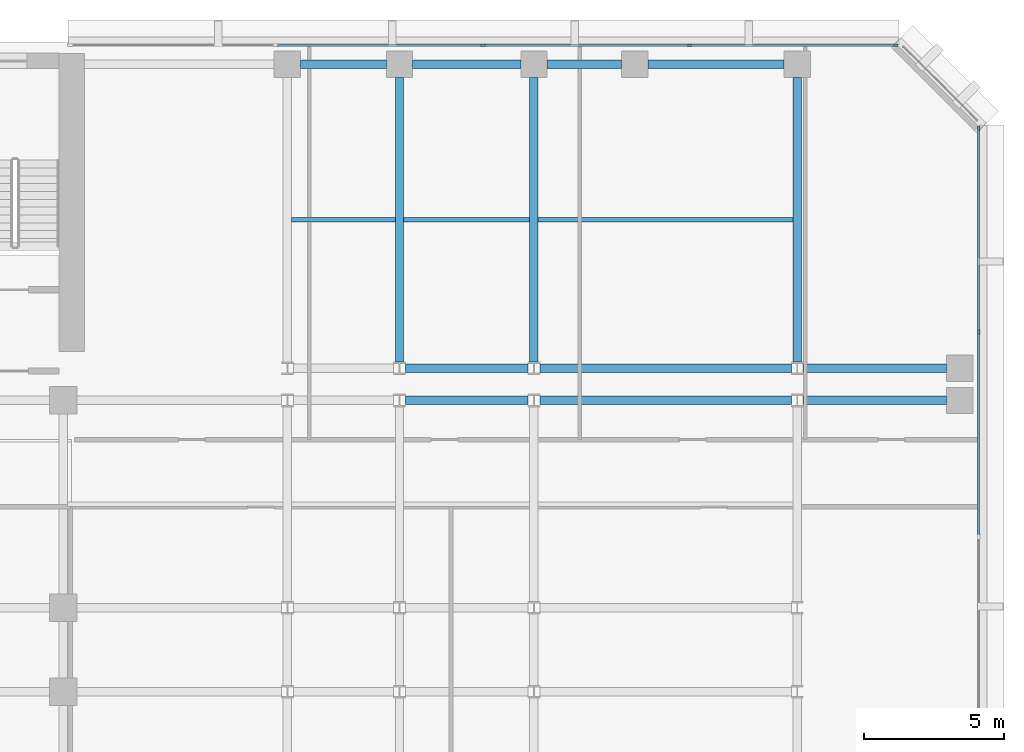
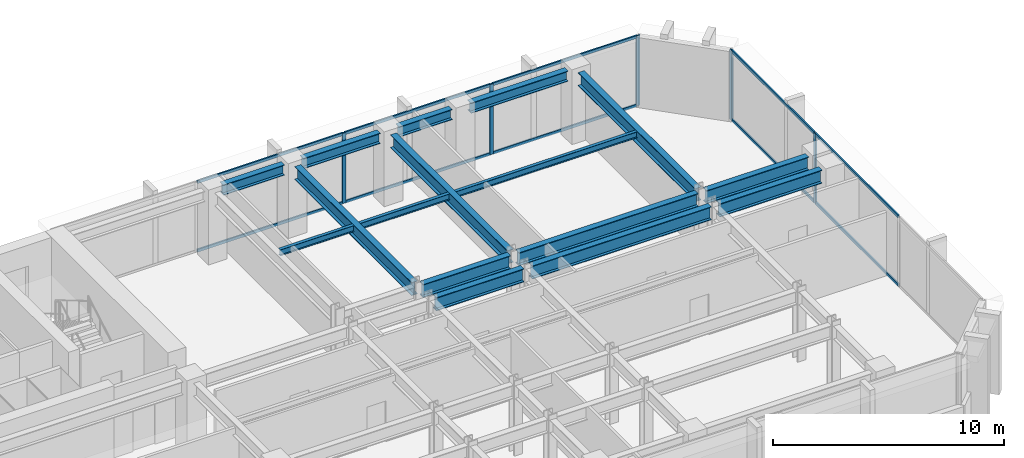
# One storey, part 5 of 13: 16 beams, 15 members, 2 elements without a shape of their own.
"""IFC4 building model written with IfcOpenShell, lengths in metres."""

import ifcopenshell
import ifcopenshell.guid

model = None  # the IFC model being written
_history = None  # IfcOwnerHistory: only IFC2X3 demands one
_inside = {}  # id of a spatial element -> (the spatial element, [elements in it])
_under = {}  # id of a project, library or spatial element -> (it, [spatial elements below it])
_declared = {}  # id of a project -> (the project, [libraries it declares])
_typed = {}  # id of a type object -> (the type object, [elements of that type])
_made_of = {}  # id of a material, layer set ... -> (it, [elements and type objects made of it])


def new_model(schema):
    """Start an empty IFC model of exactly this schema.

    Asked for "IFC4X3", IfcOpenShell would pick the latest addendum, in which some entities
    have other attributes; the version numbers below select the first issue.
    IFC2X3 requires an IfcOwnerHistory on every rooted entity: one is made here for all.
    """
    global model, _history
    if schema == "IFC4X3":
        model = ifcopenshell.file(schema_version=(4, 3, 0, 0))
    else:
        model = ifcopenshell.file(schema=schema)
    _inside.clear()
    _under.clear()
    _declared.clear()
    _typed.clear()
    _made_of.clear()
    _history = None
    if model.schema == "IFC2X3":
        org = make("IfcOrganization", Name="unknown")
        user = make(
            "IfcPersonAndOrganization",
            ThePerson=make("IfcPerson", FamilyName="unknown"),
            TheOrganization=org,
        )
        app = make(
            "IfcApplication",
            ApplicationDeveloper=org,
            Version="unknown",
            ApplicationFullName="unknown",
            ApplicationIdentifier="unknown",
        )
        _history = make(
            "IfcOwnerHistory",
            OwningUser=user,
            OwningApplication=app,
            ChangeAction="ADDED",
            CreationDate=0,
        )
    return model


def make(cls, **values):
    """One entity of the class cls with the attributes given. An attribute that is None is left unset."""
    return model.create_entity(
        cls, **{name: value for name, value in values.items() if value is not None}
    )


def rooted(cls, **values):
    """An entity with a GlobalId (a new one), such as an element, a storey or a relation."""
    return make(cls, GlobalId=ifcopenshell.guid.new(), OwnerHistory=_history, **values)


def si_unit(unit_type, name, prefix=None):
    """IfcSIUnit, for example si_unit("LENGTHUNIT", "METRE", prefix="MILLI")."""
    return make("IfcSIUnit", UnitType=unit_type, Prefix=prefix, Name=name)


def assignment(units):
    """IfcUnitAssignment: the units of a project."""
    return None if units is None else make("IfcUnitAssignment", Units=units)


def point(xyz):
    """IfcCartesianPoint."""
    return None if xyz is None else make("IfcCartesianPoint", Coordinates=xyz)


def direction(xyz):
    """IfcDirection."""
    return None if xyz is None else make("IfcDirection", DirectionRatios=xyz)


def frame(location, z_axis=None, x_axis=None):
    """IfcAxis2Placement3D, a coordinate frame: its origin and axes. An axis left out is left unset."""
    return make(
        "IfcAxis2Placement3D",
        Location=point(location),
        Axis=direction(z_axis),
        RefDirection=direction(x_axis),
    )


def frame_2d(location, x_axis=None):
    """IfcAxis2Placement2D, a coordinate frame in the plane: its origin and x axis."""
    return make(
        "IfcAxis2Placement2D", Location=point(location), RefDirection=direction(x_axis)
    )


def origin():
    """The frame at (0, 0, 0) with its axes left unset."""
    return frame((0.0, 0.0, 0.0))


def origin_2d():
    """The frame at (0, 0) in the plane with its x axis left unset."""
    return frame_2d((0.0, 0.0))


def place(relative_to, where):
    """IfcLocalPlacement: puts the frame where relative to a parent placement (None: the world)."""
    return make(
        "IfcLocalPlacement", PlacementRelTo=relative_to, RelativePlacement=where
    )


def context(
    kind, dimensions, precision=None, world=None, true_north=None, identifier=None
):
    """IfcGeometricRepresentationContext, for example the 3D "Model" context."""
    return make(
        "IfcGeometricRepresentationContext",
        ContextIdentifier=identifier,
        ContextType=kind,
        CoordinateSpaceDimension=dimensions,
        Precision=precision,
        WorldCoordinateSystem=world,
        TrueNorth=true_north,
    )


def subcontext(parent, identifier, kind, view, scale=None):
    """IfcGeometricRepresentationSubContext, for example "Body" below "Model"."""
    return make(
        "IfcGeometricRepresentationSubContext",
        ContextIdentifier=identifier,
        ContextType=kind,
        ParentContext=parent,
        TargetScale=scale,
        TargetView=view,
    )


def project(units=None, contexts=None):
    """IfcProject with its units and contexts."""
    return rooted(
        "IfcProject",
        Name="project",
        RepresentationContexts=contexts,
        UnitsInContext=assignment(units),
    )


def spatial(cls, under=None, at=None, **own):
    """A site, building, storey or space (cls), placed at a placement, below another one or the project."""
    s = rooted(cls, ObjectPlacement=at, **own)
    if under is not None:
        _under.setdefault(under.id(), (under, []))[1].append(s)
    return s


def profile(cls, at=None, kind="AREA", **sizes):
    """A parametric profile (cls). Its sizes go by their IFC names, for example OverallWidth=200.0."""
    return make(cls, ProfileType=kind, Position=at, **sizes)


def rectangle(**sizes):
    """IfcRectangleProfileDef."""
    return profile("IfcRectangleProfileDef", **sizes)


def i_section(**sizes):
    """IfcIShapeProfileDef."""
    return profile("IfcIShapeProfileDef", **sizes)


def extrude(swept, where, along, depth):
    """IfcExtrudedAreaSolid: the profile swept, set in the frame where, extruded along a direction by depth."""
    return make(
        "IfcExtrudedAreaSolid",
        SweptArea=swept,
        Position=where,
        ExtrudedDirection=direction(along),
        Depth=depth,
    )


def shape(context_of_items, identifier, shape_type, items):
    """IfcShapeRepresentation: the items that make up one representation, for example the "Body"."""
    return make(
        "IfcShapeRepresentation",
        ContextOfItems=context_of_items,
        RepresentationIdentifier=identifier,
        RepresentationType=shape_type,
        Items=items,
    )


def material(Name=None, Category=None):
    """IfcMaterial."""
    return make("IfcMaterial", Name=Name, Category=Category)


def layer(
    of_material, thickness, ventilated=None, Name=None, Category=None, Priority=None
):
    """IfcMaterialLayer: one layer of a wall or slab, of a material (None: an air gap)."""
    return make(
        "IfcMaterialLayer",
        Material=of_material,
        LayerThickness=thickness,
        IsVentilated=ventilated,
        Name=Name,
        Category=Category,
        Priority=Priority,
    )


def layer_set(layers, Name=None):
    """IfcMaterialLayerSet."""
    return make("IfcMaterialLayerSet", MaterialLayers=layers, LayerSetName=Name)


def material_profile(
    of_material, cross_section, Name=None, Category=None, Priority=None
):
    """IfcMaterialProfile: a cross section and its material."""
    return make(
        "IfcMaterialProfile",
        Name=Name,
        Material=of_material,
        Profile=cross_section,
        Priority=Priority,
        Category=Category,
    )


def profile_set(profiles, Name=None, composite=None):
    """IfcMaterialProfileSet."""
    return make(
        "IfcMaterialProfileSet",
        Name=Name,
        MaterialProfiles=profiles,
        CompositeProfile=composite,
    )


def made_of(thing, what):
    """Note that an element or type object is made of a material, layer set ...; save() writes the relation."""
    if what is not None:
        _made_of.setdefault(what.id(), (what, []))[1].append(thing)
    return thing


def type_object(cls, material=None, **own):
    """A type object (cls), such as IfcWallType, which elements share."""
    return made_of(rooted(cls, **own), material)


def element(
    cls,
    number,
    at=None,
    inside=None,
    cuts=None,
    type_object=None,
    material=None,
    context=None,
    identifier="Body",
    shape_type=None,
    held_by="IfcProductDefinitionShape",
    body=None,
    shapes=None,
    **own,
):
    """One element of the class cls, such as IfcWall. Its Tag is "e" and its number.

    at: its placement. inside: the storey or other place that contains it. cuts: it is an
    opening in that element (IfcRelVoidsElement). A single representation is given by context,
    identifier, shape_type and body (its items); several are given by shapes. held_by: the class
    of the entity that holds the representations. save() writes the other relations.
    """
    e = rooted(cls, Tag="e%d" % number, ObjectPlacement=at, **own)
    if body is not None:
        shapes = [shape(context, identifier, shape_type, body)]
    if shapes is not None:
        e.Representation = make(held_by, Representations=shapes)
    if inside is not None:
        _inside.setdefault(inside.id(), (inside, []))[1].append(e)
    if cuts is not None:
        rooted(
            "IfcRelVoidsElement", RelatingBuildingElement=cuts, RelatedOpeningElement=e
        )
    if type_object is not None:
        _typed.setdefault(type_object.id(), (type_object, []))[1].append(e)
    return made_of(e, material)


def aggregate(whole, parts):
    """IfcRelAggregates: a whole, such as a stair, and the parts it consists of."""
    return rooted("IfcRelAggregates", RelatingObject=whole, RelatedObjects=parts)


def save(model, path):
    """Write the relations noted so far, then the file.

    IfcRelAggregates (storeys below a building ...), IfcRelContainedInSpatialStructure (elements
    in a storey), IfcRelDefinesByType, IfcRelAssociatesMaterial and IfcRelDeclares: one each for
    every whole, place, type object, material and project.
    """
    for whole, parts in _under.values():
        aggregate(whole, parts)
    for where, things in _inside.values():
        rooted(
            "IfcRelContainedInSpatialStructure",
            RelatedElements=things,
            RelatingStructure=where,
        )
    for kind, things in _typed.values():
        rooted("IfcRelDefinesByType", RelatedObjects=things, RelatingType=kind)
    for what, things in _made_of.values():
        rooted("IfcRelAssociatesMaterial", RelatedObjects=things, RelatingMaterial=what)
    for by, libraries in _declared.values():
        rooted("IfcRelDeclares", RelatingContext=by, RelatedDefinitions=libraries)
    model.write(path)


model = new_model("IFC4")

# Units and contexts
model_context = context("Model", 3, precision=1e-05, world=origin(), true_north=direction((0.0, 1.0)))
body_context = subcontext(model_context, "Body", "Model", "MODEL_VIEW")
ifc_project = project(units=[si_unit("LENGTHUNIT", "METRE"), si_unit("AREAUNIT", "SQUARE_METRE"), si_unit("VOLUMEUNIT", "CUBIC_METRE"), si_unit("PLANEANGLEUNIT", "RADIAN"), si_unit("MASSUNIT", "GRAM", prefix="KILO")], contexts=[model_context])

# Site, building, storey
site_placement = place(None, origin())
site = spatial("IfcSite", under=ifc_project, at=site_placement, CompositionType="ELEMENT")
building_placement = place(site_placement, origin())
building = spatial("IfcBuilding", under=site, at=building_placement, Name="Kefirva Bronze Tower", CompositionType="ELEMENT")
storey_placement = place(building_placement, frame((0.0, 0.0, 98.669921875)))
storey = spatial("IfcBuildingStorey", under=building, at=storey_placement, Name="L23", CompositionType="ELEMENT", Elevation=98.669921875)

# Curtain wall, members
ifc_material_1 = material(Name="Bronze anodised aluminium", Category="aluminium")
ifc_layer = layer(ifc_material_1, 0.199951171875, Name="Bronze anodised aluminium")
ifc_layer_set = layer_set([ifc_layer], Name="Bronze anodised aluminium")
curtain_wall_type = type_object("IfcCurtainWallType", Name="Unitised Bronze Ribbon Curtain Wall Zone 1", PredefinedType="USERDEFINED", material=ifc_layer_set)
curtain_wall_1_placement = place(storey_placement, origin())
curtain_wall_1 = element("IfcCurtainWall", 1, at=curtain_wall_1_placement, inside=storey, type_object=curtain_wall_type, Name="L23 Curtain Wall 3", ObjectType="UNITISED CURTAIN WALL", PredefinedType="USERDEFINED")
ifc_material_profile_1 = material_profile(ifc_material_1, rectangle(XDim=0.074951171875, YDim=0.179931640625, at=origin_2d()), Name="ALU 75x180")
ifc_profile_set_1 = profile_set([ifc_material_profile_1], Name="Bronze anodised aluminium")
member_type_1 = type_object("IfcMemberType", Name="Bronze Mullion 75x180", PredefinedType="MULLION", material=ifc_profile_set_1)
member_1_placement = place(storey_placement, frame((55.8798828125, 35.6484375, 0.0), z_axis=(0.0, 0.0, 1.0), x_axis=(-1.0, 0.0, 0.0)))
member_1 = element("IfcMember", 2, at=member_1_placement, type_object=member_type_1, Name="CW-01 mullion 3", PredefinedType="MULLION", context=body_context, shape_type="SweptSolid", body=[
    extrude(rectangle(XDim=0.074951171875, YDim=0.179931640625, at=origin_2d()), origin(), (0.0, 0.0, 1.0), 3.7099609375),
])
member_2_placement = place(storey_placement, frame((55.8798828125, 42.907470703125, 0.0), z_axis=(0.0, 0.0, 1.0), x_axis=(-1.0, 0.0, 0.0)))
member_2 = element("IfcMember", 3, at=member_2_placement, type_object=member_type_1, Name="CW-01 mullion 4", PredefinedType="MULLION", context=body_context, shape_type="SweptSolid", body=[
    extrude(rectangle(XDim=0.074951171875, YDim=0.179931640625, at=origin_2d()), origin(), (0.0, 0.0, 1.0), 3.7099609375),
])

curtain_wall_2_placement = place(storey_placement, origin())
curtain_wall_2 = element("IfcCurtainWall", 4, at=curtain_wall_2_placement, inside=storey, type_object=curtain_wall_type, Name="L23 Curtain Wall 4", ObjectType="UNITISED CURTAIN WALL", PredefinedType="USERDEFINED")
member_3_placement = place(storey_placement, frame((52.907470703125, 45.8798828125, 0.0), z_axis=(0.0, 0.0, 1.0), x_axis=(0.0, -1.0, 0.0)))
member_3 = element("IfcMember", 5, at=member_3_placement, type_object=member_type_1, Name="CW-01 mullion 1", PredefinedType="MULLION", context=body_context, shape_type="SweptSolid", body=[
    extrude(rectangle(XDim=0.074951171875, YDim=0.179931640625, at=origin_2d()), origin(), (0.0, 0.0, 1.0), 3.7099609375),
])
member_4_placement = place(storey_placement, frame((45.56005859375, 45.8798828125, 0.0), z_axis=(0.0, 0.0, 1.0), x_axis=(0.0, -1.0, 0.0)))
member_4 = element("IfcMember", 6, at=member_4_placement, type_object=member_type_1, Name="CW-01 mullion 2", PredefinedType="MULLION", context=body_context, shape_type="SweptSolid", body=[
    extrude(rectangle(XDim=0.074951171875, YDim=0.179931640625, at=origin_2d()), origin(), (0.0, 0.0, 1.0), 3.7099609375),
])
member_5_placement = place(storey_placement, frame((38.175048828125, 45.8798828125, 0.0), z_axis=(0.0, 0.0, 1.0), x_axis=(0.0, -1.0, 0.0)))
member_5 = element("IfcMember", 7, at=member_5_placement, type_object=member_type_1, Name="CW-01 mullion 3", PredefinedType="MULLION", context=body_context, shape_type="SweptSolid", body=[
    extrude(rectangle(XDim=0.074951171875, YDim=0.179931640625, at=origin_2d()), origin(), (0.0, 0.0, 1.0), 3.7099609375),
])

# Member
ifc_material_profile_2 = material_profile(ifc_material_1, rectangle(XDim=0.074951171875, YDim=0.14990234375, at=origin_2d()), Name="ALU 75x150")
ifc_profile_set_2 = profile_set([ifc_material_profile_2], Name="Bronze anodised aluminium")
member_type_2 = type_object("IfcMemberType", Name="Bronze Transom 75x150", PredefinedType="USERDEFINED", material=ifc_profile_set_2)
member_6_placement = place(storey_placement, frame((55.8798828125, 28.38916015625, 0.03759765625), z_axis=(0.0, 1.0, 0.0), x_axis=(-1.0, 0.0, 0.0)))
member_6 = element("IfcMember", 8, at=member_6_placement, type_object=member_type_2, Name="CW-01 transom 2.1", ObjectType="TRANSOM", PredefinedType="USERDEFINED", context=body_context, shape_type="SweptSolid", body=[
    extrude(rectangle(XDim=0.074951171875, YDim=0.14990234375, at=origin_2d()), origin(), (0.0, 0.0, 1.0), 7.2216796875),
])

member_7_placement = place(storey_placement, frame((55.8798828125, 28.38916015625, 3.672607421875), z_axis=(0.0, 1.0, 0.0), x_axis=(-1.0, 0.0, 0.0)))
member_7 = element("IfcMember", 9, at=member_7_placement, type_object=member_type_2, Name="CW-01 transom 2.2", ObjectType="TRANSOM", PredefinedType="USERDEFINED", context=body_context, shape_type="SweptSolid", body=[
    extrude(rectangle(XDim=0.074951171875, YDim=0.14990234375, at=origin_2d()), origin(), (0.0, 0.0, 1.0), 7.2216796875),
])

member_8_placement = place(storey_placement, frame((55.8798828125, 35.685791015625, 0.03759765625), z_axis=(0.0, 1.0, 0.0), x_axis=(-1.0, 0.0, 0.0)))
member_8 = element("IfcMember", 10, at=member_8_placement, type_object=member_type_2, Name="CW-01 transom 3.1", ObjectType="TRANSOM", PredefinedType="USERDEFINED", context=body_context, shape_type="SweptSolid", body=[
    extrude(rectangle(XDim=0.074951171875, YDim=0.14990234375, at=origin_2d()), origin(), (0.0, 0.0, 1.0), 7.184326171875),
])

member_9_placement = place(storey_placement, frame((55.8798828125, 35.685791015625, 3.672607421875), z_axis=(0.0, 1.0, 0.0), x_axis=(-1.0, 0.0, 0.0)))
member_9 = element("IfcMember", 11, at=member_9_placement, type_object=member_type_2, Name="CW-01 transom 3.2", ObjectType="TRANSOM", PredefinedType="USERDEFINED", context=body_context, shape_type="SweptSolid", body=[
    extrude(rectangle(XDim=0.074951171875, YDim=0.14990234375, at=origin_2d()), origin(), (0.0, 0.0, 1.0), 7.184326171875),
])

aggregate(curtain_wall_1, [member_1, member_2, member_6, member_7, member_8, member_9])

member_10_placement = place(storey_placement, frame((52.8701171875, 45.8798828125, 0.03759765625), z_axis=(-1.0, 0.0, 0.0), x_axis=(0.0, -1.0, 0.0)))
member_10 = element("IfcMember", 12, at=member_10_placement, type_object=member_type_2, Name="CW-01 transom 1.1", ObjectType="TRANSOM", PredefinedType="USERDEFINED", context=body_context, shape_type="SweptSolid", body=[
    extrude(rectangle(XDim=0.074951171875, YDim=0.14990234375, at=origin_2d()), origin(), (0.0, 0.0, 1.0), 7.272705078125),
])

member_11_placement = place(storey_placement, frame((52.8701171875, 45.8798828125, 3.672607421875), z_axis=(-1.0, 0.0, 0.0), x_axis=(0.0, -1.0, 0.0)))
member_11 = element("IfcMember", 13, at=member_11_placement, type_object=member_type_2, Name="CW-01 transom 1.2", ObjectType="TRANSOM", PredefinedType="USERDEFINED", context=body_context, shape_type="SweptSolid", body=[
    extrude(rectangle(XDim=0.074951171875, YDim=0.14990234375, at=origin_2d()), origin(), (0.0, 0.0, 1.0), 7.272705078125),
])

member_12_placement = place(storey_placement, frame((45.5224609375, 45.8798828125, 0.03759765625), z_axis=(-1.0, 0.0, 0.0), x_axis=(0.0, -1.0, 0.0)))
member_12 = element("IfcMember", 14, at=member_12_placement, type_object=member_type_2, Name="CW-01 transom 2.1", ObjectType="TRANSOM", PredefinedType="USERDEFINED", context=body_context, shape_type="SweptSolid", body=[
    extrude(rectangle(XDim=0.074951171875, YDim=0.14990234375, at=origin_2d()), origin(), (0.0, 0.0, 1.0), 7.31005859375),
])

member_13_placement = place(storey_placement, frame((45.5224609375, 45.8798828125, 3.672607421875), z_axis=(-1.0, 0.0, 0.0), x_axis=(0.0, -1.0, 0.0)))
member_13 = element("IfcMember", 15, at=member_13_placement, type_object=member_type_2, Name="CW-01 transom 2.2", ObjectType="TRANSOM", PredefinedType="USERDEFINED", context=body_context, shape_type="SweptSolid", body=[
    extrude(rectangle(XDim=0.074951171875, YDim=0.14990234375, at=origin_2d()), origin(), (0.0, 0.0, 1.0), 7.31005859375),
])

member_14_placement = place(storey_placement, frame((38.137451171875, 45.8798828125, 0.03759765625), z_axis=(-1.0, 0.0, 0.0), x_axis=(0.0, -1.0, 0.0)))
member_14 = element("IfcMember", 16, at=member_14_placement, type_object=member_type_2, Name="CW-01 transom 3.1", ObjectType="TRANSOM", PredefinedType="USERDEFINED", context=body_context, shape_type="SweptSolid", body=[
    extrude(rectangle(XDim=0.074951171875, YDim=0.14990234375, at=origin_2d()), origin(), (0.0, 0.0, 1.0), 7.31005859375),
])

member_15_placement = place(storey_placement, frame((38.137451171875, 45.8798828125, 3.672607421875), z_axis=(-1.0, 0.0, 0.0), x_axis=(0.0, -1.0, 0.0)))
member_15 = element("IfcMember", 17, at=member_15_placement, type_object=member_type_2, Name="CW-01 transom 3.2", ObjectType="TRANSOM", PredefinedType="USERDEFINED", context=body_context, shape_type="SweptSolid", body=[
    extrude(rectangle(XDim=0.074951171875, YDim=0.14990234375, at=origin_2d()), origin(), (0.0, 0.0, 1.0), 7.31005859375),
])

aggregate(curtain_wall_2, [member_3, member_4, member_5, member_10, member_11, member_12, member_13, member_14, member_15])

# Beams
ifc_material_2 = material(Name="Steel S355", Category="steel")
ifc_material_profile_3 = material_profile(ifc_material_2, i_section(OverallWidth=0.159912109375, OverallDepth=0.330078125, WebThickness=0.007568359375, FlangeThickness=0.011474609375, at=origin_2d()), Name="IPE 330")
ifc_profile_set_3 = profile_set([ifc_material_profile_3], Name="Steel S355")
beam_type_1 = type_object("IfcBeamType", Name="Steel Floor Joist IPE 330", PredefinedType="JOIST", material=ifc_profile_set_3)
beam_1_placement = place(storey_placement, frame((31.35009765625, 39.65380859375, 3.545166015625), z_axis=(1.0, 0.0, 0.0), x_axis=(0.0, 1.0, 0.0)))
element("IfcBeam", 18, at=beam_1_placement, inside=storey, type_object=beam_type_1, Name="L23 JST-L23-31-396", PredefinedType="JOIST", context=body_context, shape_type="SweptSolid", body=[
    extrude(i_section(OverallWidth=0.159912109375, OverallDepth=0.330078125, WebThickness=0.007568359375, FlangeThickness=0.011474609375, at=origin_2d()), origin(), (0.0, 0.0, 1.0), 3.699951171875),
])
beam_2_placement = place(storey_placement, frame((35.35009765625, 39.65380859375, 3.545166015625), z_axis=(1.0, 0.0, 0.0), x_axis=(0.0, 1.0, 0.0)))
element("IfcBeam", 19, at=beam_2_placement, inside=storey, type_object=beam_type_1, Name="L23 JST-L23-35-396", PredefinedType="JOIST", context=body_context, shape_type="SweptSolid", body=[
    extrude(i_section(OverallWidth=0.159912109375, OverallDepth=0.330078125, WebThickness=0.007568359375, FlangeThickness=0.011474609375, at=origin_2d()), origin(), (0.0, 0.0, 1.0), 4.5),
])
beam_3_placement = place(storey_placement, frame((40.14990234375, 39.65380859375, 3.545166015625), z_axis=(1.0, 0.0, 0.0), x_axis=(0.0, 1.0, 0.0)))
element("IfcBeam", 20, at=beam_3_placement, inside=storey, type_object=beam_type_1, Name="L23 JST-L23-40-396", PredefinedType="JOIST", context=body_context, shape_type="SweptSolid", body=[
    extrude(i_section(OverallWidth=0.159912109375, OverallDepth=0.330078125, WebThickness=0.007568359375, FlangeThickness=0.011474609375, at=origin_2d()), origin(), (0.0, 0.0, 1.0), 9.10009765625),
])
ifc_material_profile_4 = material_profile(ifc_material_2, i_section(OverallWidth=0.300048828125, OverallDepth=0.699951171875, WebThickness=0.01708984375, FlangeThickness=0.031982421875, at=origin_2d()), Name="HEB 700")
ifc_profile_set_4 = profile_set([ifc_material_profile_4], Name="Steel S355")
beam_type_2 = type_object("IfcBeamType", Name="Steel Girder HEB 700", PredefinedType="USERDEFINED", material=ifc_profile_set_4)
beam_4_placement = place(storey_placement, frame((35.408935546875, 33.199951171875, 3.360107421875), z_axis=(1.0, 0.0, 0.0), x_axis=(0.0, 1.0, 0.0)))
element("IfcBeam", 21, at=beam_4_placement, inside=storey, type_object=beam_type_2, Name="L23 BM-L23-EW-35-332", ObjectType="GIRDER", PredefinedType="USERDEFINED", context=body_context, shape_type="SweptSolid", body=[
    extrude(i_section(OverallWidth=0.300048828125, OverallDepth=0.699951171875, WebThickness=0.01708984375, FlangeThickness=0.031982421875, at=origin_2d()), origin(), (0.0, 0.0, 1.0), 4.382080078125),
])
beam_5_placement = place(storey_placement, frame((40.208984375, 33.199951171875, 3.360107421875), z_axis=(1.0, 0.0, 0.0), x_axis=(0.0, 1.0, 0.0)))
element("IfcBeam", 22, at=beam_5_placement, inside=storey, type_object=beam_type_2, Name="L23 BM-L23-EW-40-332", ObjectType="GIRDER", PredefinedType="USERDEFINED", context=body_context, shape_type="SweptSolid", body=[
    extrude(i_section(OverallWidth=0.300048828125, OverallDepth=0.699951171875, WebThickness=0.01708984375, FlangeThickness=0.031982421875, at=origin_2d()), origin(), (0.0, 0.0, 1.0), 8.98193359375),
])
beam_6_placement = place(storey_placement, frame((49.60888671875, 33.199951171875, 3.360107421875), z_axis=(1.0, 0.0, 0.0), x_axis=(0.0, 1.0, 0.0)))
element("IfcBeam", 23, at=beam_6_placement, inside=storey, type_object=beam_type_2, Name="L23 BM-L23-EW-49-332", ObjectType="GIRDER", PredefinedType="USERDEFINED", context=body_context, shape_type="SweptSolid", body=[
    extrude(i_section(OverallWidth=0.300048828125, OverallDepth=0.699951171875, WebThickness=0.01708984375, FlangeThickness=0.031982421875, at=origin_2d()), origin(), (0.0, 0.0, 1.0), 5.12109375),
])
beam_7_placement = place(storey_placement, frame((35.408935546875, 34.35009765625, 3.360107421875), z_axis=(1.0, 0.0, 0.0), x_axis=(0.0, 1.0, 0.0)))
element("IfcBeam", 24, at=beam_7_placement, inside=storey, type_object=beam_type_2, Name="L23 BM-L23-EW-35-344", ObjectType="GIRDER", PredefinedType="USERDEFINED", context=body_context, shape_type="SweptSolid", body=[
    extrude(i_section(OverallWidth=0.300048828125, OverallDepth=0.699951171875, WebThickness=0.01708984375, FlangeThickness=0.031982421875, at=origin_2d()), origin(), (0.0, 0.0, 1.0), 4.382080078125),
])
beam_8_placement = place(storey_placement, frame((40.208984375, 34.35009765625, 3.360107421875), z_axis=(1.0, 0.0, 0.0), x_axis=(0.0, 1.0, 0.0)))
element("IfcBeam", 25, at=beam_8_placement, inside=storey, type_object=beam_type_2, Name="L23 BM-L23-EW-40-344", ObjectType="GIRDER", PredefinedType="USERDEFINED", context=body_context, shape_type="SweptSolid", body=[
    extrude(i_section(OverallWidth=0.300048828125, OverallDepth=0.699951171875, WebThickness=0.01708984375, FlangeThickness=0.031982421875, at=origin_2d()), origin(), (0.0, 0.0, 1.0), 8.98193359375),
])
beam_9_placement = place(storey_placement, frame((49.60888671875, 34.35009765625, 3.360107421875), z_axis=(1.0, 0.0, 0.0), x_axis=(0.0, 1.0, 0.0)))
element("IfcBeam", 26, at=beam_9_placement, inside=storey, type_object=beam_type_2, Name="L23 BM-L23-EW-49-344", ObjectType="GIRDER", PredefinedType="USERDEFINED", context=body_context, shape_type="SweptSolid", body=[
    extrude(i_section(OverallWidth=0.300048828125, OverallDepth=0.699951171875, WebThickness=0.01708984375, FlangeThickness=0.031982421875, at=origin_2d()), origin(), (0.0, 0.0, 1.0), 5.12109375),
])
for number, where, z_axis, x_axis, name in (
    (27, (35.199951171875, 34.577392578125, 3.360107421875), (0.0, 1.0, 0.0), (-1.0, 0.0, 0.0), "L23 BM-L23-NS-352-34"),
    (28, (40.0, 34.577392578125, 3.360107421875), (0.0, 1.0, 0.0), (-1.0, 0.0, 0.0), "L23 BM-L23-NS-400-34"),
    (29, (49.39990234375, 34.577392578125, 3.360107421875), (0.0, 1.0, 0.0), (-1.0, 0.0, 0.0), "L23 BM-L23-NS-494-34"),
):
    element("IfcBeam", number, at=place(storey_placement, frame(where, z_axis=z_axis, x_axis=x_axis)), inside=storey, type_object=beam_type_2, Name=name, ObjectType="GIRDER", PredefinedType="USERDEFINED", context=body_context, shape_type="SweptSolid", body=[
        extrude(i_section(OverallWidth=0.300048828125, OverallDepth=0.699951171875, WebThickness=0.01708984375, FlangeThickness=0.031982421875, at=origin_2d()), origin(), (0.0, 0.0, 1.0), 10.152587890625),
    ])
ifc_material_profile_5 = material_profile(ifc_material_2, i_section(OverallWidth=0.300048828125, OverallDepth=0.550048828125, WebThickness=0.014892578125, FlangeThickness=0.029052734375, at=origin_2d()), Name="HEB 550")
ifc_profile_set_5 = profile_set([ifc_material_profile_5], Name="Steel S355")
beam_type_3 = type_object("IfcBeamType", Name="Steel Spandrel HEB 550 Ext", PredefinedType="SPANDREL", material=ifc_profile_set_5)
beam_10_placement = place(storey_placement, frame((31.669921875, 45.199951171875, 3.43505859375), z_axis=(1.0, 0.0, 0.0), x_axis=(0.0, 1.0, 0.0)))
element("IfcBeam", 30, at=beam_10_placement, inside=storey, type_object=beam_type_3, Name="L23 BM-L23-EW-31-452", PredefinedType="SPANDREL", context=body_context, shape_type="SweptSolid", body=[
    extrude(i_section(OverallWidth=0.300048828125, OverallDepth=0.550048828125, WebThickness=0.014892578125, FlangeThickness=0.029052734375, at=origin_2d()), origin(), (0.0, 0.0, 1.0), 3.06005859375),
])
beam_11_placement = place(storey_placement, frame((35.669921875, 45.199951171875, 3.43505859375), z_axis=(1.0, 0.0, 0.0), x_axis=(0.0, 1.0, 0.0)))
element("IfcBeam", 31, at=beam_11_placement, inside=storey, type_object=beam_type_3, Name="L23 BM-L23-EW-35-452", PredefinedType="SPANDREL", context=body_context, shape_type="SweptSolid", body=[
    extrude(i_section(OverallWidth=0.300048828125, OverallDepth=0.550048828125, WebThickness=0.014892578125, FlangeThickness=0.029052734375, at=origin_2d()), origin(), (0.0, 0.0, 1.0), 3.860107421875),
])
beam_12_placement = place(storey_placement, frame((40.469970703125, 45.199951171875, 3.43505859375), z_axis=(1.0, 0.0, 0.0), x_axis=(0.0, 1.0, 0.0)))
element("IfcBeam", 32, at=beam_12_placement, inside=storey, type_object=beam_type_3, Name="L23 BM-L23-EW-40-452", PredefinedType="SPANDREL", context=body_context, shape_type="SweptSolid", body=[
    extrude(i_section(OverallWidth=0.300048828125, OverallDepth=0.550048828125, WebThickness=0.014892578125, FlangeThickness=0.029052734375, at=origin_2d()), origin(), (0.0, 0.0, 1.0), 2.659912109375),
])
beam_13_placement = place(storey_placement, frame((44.070068359375, 45.199951171875, 3.43505859375), z_axis=(1.0, 0.0, 0.0), x_axis=(0.0, 1.0, 0.0)))
element("IfcBeam", 33, at=beam_13_placement, inside=storey, type_object=beam_type_3, Name="L23 BM-L23-EW-43-452", PredefinedType="SPANDREL", context=body_context, shape_type="SweptSolid", body=[
    extrude(i_section(OverallWidth=0.300048828125, OverallDepth=0.550048828125, WebThickness=0.014892578125, FlangeThickness=0.029052734375, at=origin_2d()), origin(), (0.0, 0.0, 1.0), 4.85986328125),
])

save(model, "model.ifc")
